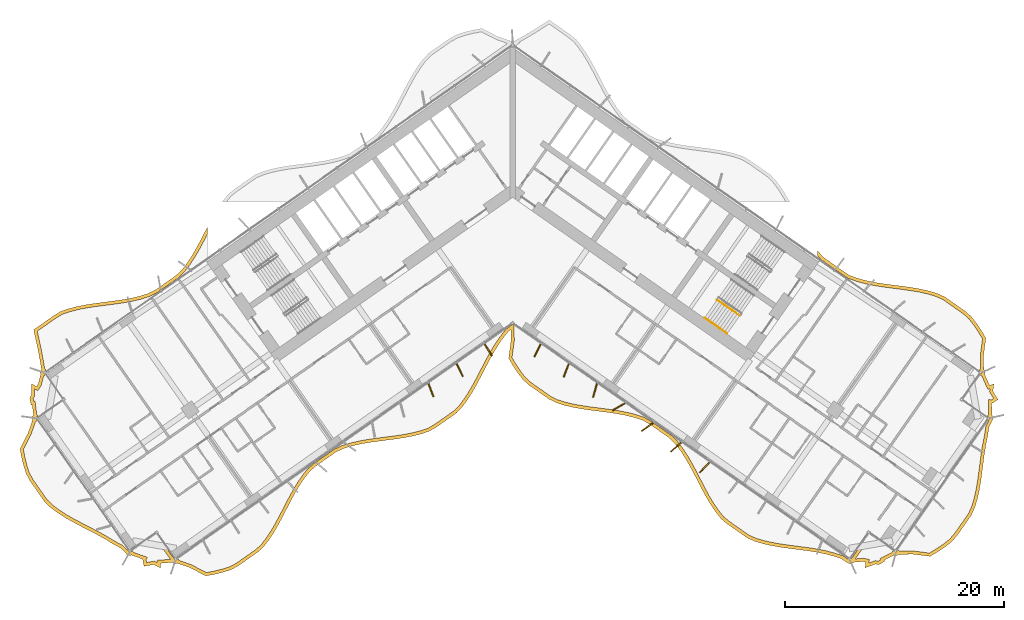
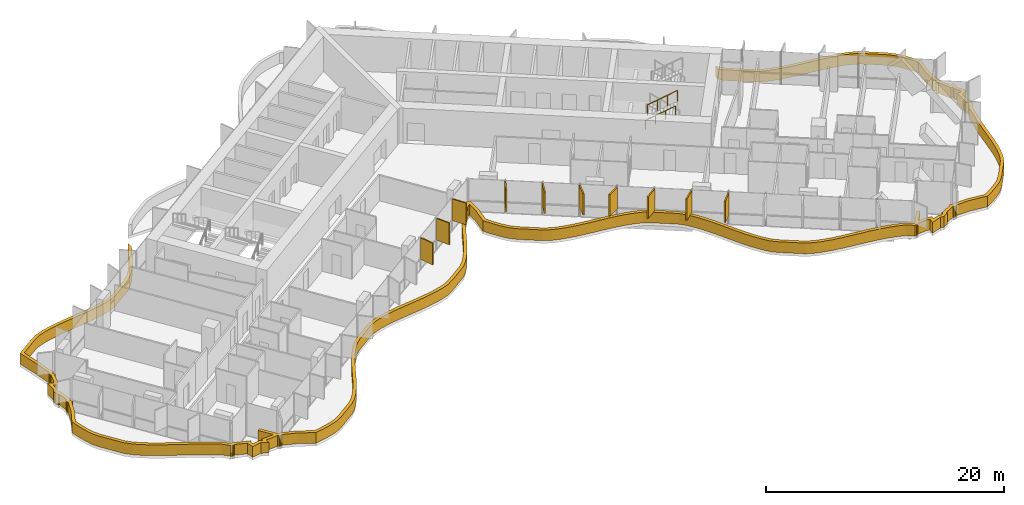
# One storey, part 21 of 24: 11 shading devices, 2 railings.
"""IFC4 building model written with IfcOpenShell, lengths in metres."""

from ifc_helpers import new_model, si_unit, direction, frame, origin, origin_2d, place, context, subcontext, project, spatial, polyline, rectangle, circle, outline, extrude, material, layer, layer_set, type_object, element, save


model = new_model("IFC4")

# Units and contexts
model_context = context("Model", 3, precision=1e-05, world=origin(), true_north=direction((0.0, 1.0)))
body_context = subcontext(model_context, "Body", "Model", "MODEL_VIEW")
ifc_project = project(units=[si_unit("LENGTHUNIT", "METRE"), si_unit("AREAUNIT", "SQUARE_METRE"), si_unit("VOLUMEUNIT", "CUBIC_METRE"), si_unit("PLANEANGLEUNIT", "RADIAN"), si_unit("MASSUNIT", "GRAM", prefix="KILO")], contexts=[model_context])

# Site, building, storey
site_placement = place(None, origin())
site = spatial("IfcSite", under=ifc_project, at=site_placement, CompositionType="ELEMENT")
building_placement = place(site_placement, origin())
building = spatial("IfcBuilding", under=site, at=building_placement, Name="Tel Ilan Convention Tower", CompositionType="ELEMENT")
storey_placement = place(building_placement, frame((0.0, 0.0, 72.5)))
storey = spatial("IfcBuildingStorey", under=building, at=storey_placement, Name="L13", CompositionType="ELEMENT", Elevation=72.5)

# Shading devices
ifc_material_1 = material(Name="Aluminium, bronze anodised", Category="aluminium")
ifc_layer_1 = layer(ifc_material_1, 0.1201171875)
ifc_layer_set_1 = layer_set([ifc_layer_1], Name="FIN BRONZE 1300x120")
shading_device_type_1 = type_object("IfcShadingDeviceType", Name="FIN BRONZE 1300x120", PredefinedType="USERDEFINED", material=ifc_layer_set_1)
for number, where, z_axis, x_axis, name in (
    (1, (-7.4677734375, -18.83447265625, 1.10009765625), (0.0, 0.0, 1.0), (0.360177724803, -0.932883704733, 0.0), "FIN"),
    (2, (-4.843505859375, -17.004638671875, 1.10009765625), (0.0, 0.0, 1.0), (0.448799180206, -0.893632640321, 0.0), "FIN"),
    (3, (-2.221923828125, -15.16943359375, 1.10009765625), (0.0, 0.0, 1.0), (0.533204432798, -0.845986425922, 0.0), "FIN"),
    (4, (2.2734375, -15.205078125, 1.10009765625), (0.0, 0.0, 1.0), (-0.448799180206, -0.893632640321, 0.0), "FIN"),
    (5, (4.897705078125, -17.034912109375, 1.10009765625), (0.0, 0.0, 1.0), (-0.360177724803, -0.932883704733, 0.0), "FIN"),
    (6, (7.5244140625, -18.858642578125, 1.10009765625), (0.0, 0.0, 1.0), (-0.268172612768, -0.963370878614, 0.0), "FIN"),
    (7, (9.70263671875, -20.361572265625, 1.10009765625), (0.0, 0.0, 1.0), (-0.866025403784, -0.5, 0.0), "FIN"),
    (8, (12.309814453125, -22.20947265625, 1.10009765625), (0.0, 0.0, 1.0), (-0.813552070258, -0.581492071294, 0.0), "FIN"),
    (9, (14.921875, -24.053955078125, 1.10009765625), (0.0, 0.0, 1.0), (-0.753435896329, -0.657521368568, 0.0), "FIN"),
    (10, (17.538818359375, -25.89404296875, 1.10009765625), (0.0, 0.0, 1.0), (-0.686241637865, -0.727373641577, 0.0), "FIN"),
):
    element("IfcShadingDevice", number, at=place(storey_placement, frame(where, z_axis=z_axis, x_axis=x_axis)), inside=storey, type_object=shading_device_type_1, Name=name, ObjectType="FIN", PredefinedType="USERDEFINED", context=body_context, shape_type="SweptSolid", body=[
        extrude(rectangle(XDim=1.300048828125, YDim=0.1201171875, at=origin_2d()), origin(), (0.0, 0.0, 1.0), 2.219970703125),
    ])
ifc_material_2 = material(Name="Aluminium, bronze anodised", Category="aluminium")
ifc_layer_2 = layer(ifc_material_2, 0.300048828125)
ifc_layer_set_2 = layer_set([ifc_layer_2], Name="LOUVRE BAND 300x1100")
shading_device_type_2 = type_object("IfcShadingDeviceType", Name="LOUVRE BAND 300x1100", PredefinedType="USERDEFINED", material=ifc_layer_set_2)
shading_device_placement = place(storey_placement, origin())
element("IfcShadingDevice", 11, at=shading_device_placement, inside=storey, type_object=shading_device_type_2, Name="LOUVRE BAND 13.01", ObjectType="LOUVRE", PredefinedType="USERDEFINED", context=body_context, shape_type="SweptSolid", body=[
    extrude(outline(polyline([(-44.2939453125, -22.77490234375), (-45.028564453125, -24.204833984375), (-44.876953125, -25.01416015625), (-44.68408203125, -25.794677734375), (-44.4384765625, -26.538330078125), (-44.07080078125, -27.196533203125), (-42.7802734375, -29.03955078125), (-42.232421875, -29.571533203125), (-41.598876953125, -30.04345703125), (-40.91650390625, -30.481201171875), (-40.196533203125, -30.892822265625), (-39.45263671875, -31.287353515625), (-37.949462890625, -32.066162109375), (-37.219970703125, -32.470947265625), (-36.523681640625, -32.89892578125), (-35.783203125, -33.2958984375), (-35.26318359375, -33.847412109375), (-35.258544921875, -33.843994140625), (-35.2294921875, -33.887451171875), (-35.13232421875, -33.952392578125), (-35.017578125, -33.975341796875), (-34.902587890625, -33.952392578125), (-34.8486328125, -33.91650390625), (-33.810546875, -34.284912109375), (-33.821533203125, -34.302734375), (-33.688720703125, -34.9423828125), (-32.80029296875, -34.774658203125), (-32.20068359375, -35.082763671875), (-32.199462890625, -34.66796875), (-31.080322265625, -34.580810546875), (-31.051513671875, -34.624267578125), (-30.9541015625, -34.689208984375), (-30.83935546875, -34.7119140625), (-30.724365234375, -34.689208984375), (-30.67041015625, -34.653076171875), (-29.47802734375, -35.069091796875), (-28.049560546875, -35.822265625), (-27.250732421875, -35.676025390625), (-26.48095703125, -35.488525390625), (-25.74609375, -35.2509765625), (-25.0888671875, -34.90234375), (-23.27490234375, -33.63232421875), (-22.733642578125, -33.117919921875), (-22.262939453125, -32.50341796875), (-21.826416015625, -31.839599609375), (-21.4169921875, -31.13720703125), (-21.026123046875, -30.408935546875), (-20.2607421875, -28.927978515625), (-19.86669921875, -28.20361328125), (-19.45263671875, -27.5078125), (-19.010009765625, -26.85302734375), (-18.53173828125, -26.249267578125), (-17.96875, -25.76611328125), (-16.154541015625, -24.495849609375), (-15.474853515625, -24.1796875), (-14.732666015625, -23.952880859375), (-13.95654296875, -23.774169921875), (-13.154296875, -23.6328125), (-12.334716796875, -23.516357421875), (-10.681640625, -23.30322265625), (-9.86767578125, -23.178466796875), (-9.074951171875, -23.023681640625), (-8.3115234375, -22.8271484375), (-7.584228515625, -22.57861328125), (-6.9482421875, -22.2001953125), (-5.134033203125, -20.929931640625), (-4.616455078125, -20.38232421875), (-4.15283203125, -19.75732421875), (-3.722412109375, -19.0849609375), (-3.3173828125, -18.37646484375), (-2.9287109375, -17.644287109375), (-2.16259765625, -16.16455078125), (-1.765380859375, -15.44482421875), (-1.346435546875, -14.75634765625), (-0.897216796875, -14.110595703125), (-0.422119140625, -13.502197265625), (-0.16796875, -13.31494140625), (-0.15185546875, -14.322021484375), (-0.37109375, -15.922119140625), (0.03955078125, -16.62255859375), (0.47900390625, -17.281982421875), (0.95361328125, -17.89111328125), (1.505859375, -18.389404296875), (3.320068359375, -19.65966796875), (3.98828125, -19.9921875), (4.726806640625, -20.224609375), (5.499755859375, -20.407470703125), (6.2998046875, -20.552001953125), (7.1181640625, -20.67041015625), (8.771484375, -20.883056640625), (9.5869140625, -21.005615234375), (10.38232421875, -21.15673828125), (11.14892578125, -21.3486328125), (11.880126953125, -21.591796875), (12.5263671875, -21.95556640625), (14.340576171875, -23.225830078125), (14.8701171875, -23.75634765625), (15.337158203125, -24.376220703125), (15.770751953125, -25.044189453125), (16.177734375, -25.749755859375), (16.567626953125, -26.480224609375), (17.333251953125, -27.960693359375), (17.728759765625, -28.682861328125), (18.145263671875, -29.375), (18.59130859375, -30.025146484375), (19.073486328125, -30.62353515625), (19.646728515625, -31.091796875), (21.460693359375, -32.362060546875), (22.15234375, -32.6611328125), (22.898193359375, -32.883056640625), (23.67724609375, -33.057373046875), (24.481689453125, -33.19580078125), (25.302490234375, -33.310546875), (26.955078125, -33.5244140625), (27.767333984375, -33.6513671875), (28.5576171875, -33.809814453125), (29.31787109375, -34.010986328125), (30.052001953125, -34.24951171875), (30.667236328125, -34.65771484375), (30.67041015625, -34.653076171875), (30.724365234375, -34.689208984375), (30.83935546875, -34.7119140625), (30.9541015625, -34.689208984375), (31.051513671875, -34.624267578125), (31.080322265625, -34.580810546875), (32.01025390625, -34.49951171875), (32.267822265625, -34.55126953125), (32.20068359375, -35.082763671875), (33.17138671875, -34.73291015625), (33.477294921875, -34.794189453125), (34.032958984375, -34.450927734375), (33.979248046875, -34.3603515625), (34.8486328125, -33.91650390625), (34.902587890625, -33.952392578125), (35.017578125, -33.975341796875), (35.13232421875, -33.952392578125), (35.2294921875, -33.887451171875), (35.258544921875, -33.843994140625), (36.55078125, -33.833251953125), (38.145751953125, -34.034423828125), (38.8544921875, -33.615234375), (39.521728515625, -33.1669921875), (40.13671875, -32.681884765625), (40.62939453125, -32.111328125), (41.919921875, -30.268310546875), (42.232421875, -29.571533203125), (42.45947265625, -28.814697265625), (42.63720703125, -28.023681640625), (42.77783203125, -27.20654296875), (42.89404296875, -26.372314453125), (43.11181640625, -24.693603515625), (43.24267578125, -23.86962890625), (43.40673828125, -23.069091796875), (43.5263671875, -22.2373046875), (43.866943359375, -21.56005859375), (43.8623046875, -21.556884765625), (43.898193359375, -21.5029296875), (43.921142578125, -21.387939453125), (43.898193359375, -21.273193359375), (43.833251953125, -21.17578125), (43.7900390625, -21.14697265625), (43.78125, -20.04541015625), (43.8017578125, -20.049560546875), (44.357177734375, -19.7060546875), (43.89599609375, -18.9287109375), (43.98046875, -18.259765625), (43.590087890625, -18.400634765625), (43.12548828125, -17.378662109375), (43.16162109375, -17.32470703125), (43.184326171875, -17.2099609375), (43.16162109375, -17.094970703125), (43.096435546875, -16.997802734375), (43.05322265625, -16.96875), (43.041259765625, -15.681884765625), (43.245849609375, -14.085693359375), (42.828125, -13.378662109375), (42.38134765625, -12.712646484375), (41.898193359375, -12.098876953125), (41.330810546875, -11.605224609375), (39.492919921875, -10.318359375), (38.80126953125, -10.001953125), (38.0478515625, -9.774169921875), (37.260009765625, -9.595458984375), (36.44580078125, -9.4541015625), (35.614501953125, -9.337646484375), (33.940185546875, -9.120849609375), (33.117919921875, -8.99169921875), (32.318115234375, -8.830078125), (31.54931640625, -8.623779296875), (30.819091796875, -8.36279296875), (30.191162109375, -7.955810546875), (28.35693359375, -6.66357421875), (27.874755859375, -6.095458984375), (27.874755859375, -6.55908203125), (28.15234375, -6.88623046875), (30.0234375, -8.20458984375), (30.68505859375, -8.633544921875), (31.4599609375, -8.910400390625), (32.249267578125, -9.1220703125), (33.064697265625, -9.286865234375), (33.897216796875, -9.417724609375), (35.574951171875, -9.635009765625), (36.3994140625, -9.750732421875), (37.201171875, -9.8896484375), (37.97119140625, -10.064453125), (38.695068359375, -10.283447265625), (39.34326171875, -10.57958984375), (41.145751953125, -11.841796875), (41.679931640625, -12.306640625), (42.138427734375, -12.889404296875), (42.57421875, -13.53857421875), (42.935302734375, -14.149658203125), (42.740966796875, -15.66455078125), (42.75537109375, -16.87109375), (42.638671875, -17.037841796875), (42.88427734375, -17.2099609375), (42.712890625, -17.4560546875), (42.890625, -17.580322265625), (43.430908203125, -18.77685546875), (43.621337890625, -18.7080078125), (43.58544921875, -18.9931640625), (43.948974609375, -19.605712890625), (43.74462890625, -19.732177734375), (43.477294921875, -19.678466796875), (43.4921875, -21.049072265625), (43.37548828125, -21.216064453125), (43.62109375, -21.387939453125), (43.44970703125, -21.63427734375), (43.482421875, -21.656982421875), (43.236328125, -22.146240234375), (43.111083984375, -23.017578125), (42.947265625, -23.816162109375), (42.81494140625, -24.650390625), (42.5966796875, -26.332763671875), (42.481201171875, -27.160400390625), (42.343017578125, -27.96533203125), (42.1689453125, -28.73876953125), (41.95068359375, -29.466552734375), (41.657958984375, -30.11962890625), (40.392333984375, -31.9267578125), (39.928466796875, -32.464111328125), (39.344970703125, -32.92431640625), (38.6943359375, -33.361328125), (38.081298828125, -33.72412109375), (36.56787109375, -33.533203125), (35.3564453125, -33.54638671875), (35.189453125, -33.429443359375), (35.017578125, -33.67529296875), (34.771240234375, -33.50390625), (34.642822265625, -33.6875), (33.5576171875, -34.23779296875), (33.62451171875, -34.3505859375), (33.42041015625, -34.476806640625), (33.1484375, -34.422119140625), (32.559814453125, -34.634521484375), (32.600341796875, -34.31201171875), (32.026611328125, -34.19677734375), (31.310302734375, -34.26220703125), (32.117919921875, -33.109130859375), (31.8720703125, -32.93701171875), (30.83935546875, -34.412109375), (30.593505859375, -34.239990234375), (30.58935546875, -34.24609375), (30.183837890625, -33.976806640625), (29.402587890625, -33.722900390625), (28.62548828125, -33.517333984375), (27.81982421875, -33.35595703125), (26.997802734375, -33.227294921875), (25.342041015625, -33.01318359375), (24.52783203125, -32.8994140625), (23.735595703125, -32.76318359375), (22.973876953125, -32.592529296875), (22.255126953125, -32.378662109375), (21.60791015625, -32.0986328125), (19.827880859375, -30.852294921875), (19.287353515625, -30.410888671875), (18.83203125, -29.845947265625), (18.397705078125, -29.212646484375), (17.989013671875, -28.533203125), (17.597900390625, -27.8193359375), (16.833251953125, -26.3408203125), (16.440185546875, -25.604248046875), (16.026611328125, -24.8876953125), (15.583251953125, -24.2041015625), (15.09716796875, -23.55908203125), (14.5341796875, -22.9951171875), (12.6865234375, -21.701171875), (12.001953125, -21.316162109375), (11.23291015625, -21.060546875), (10.44677734375, -20.863525390625), (9.63720703125, -20.709716796875), (8.81298828125, -20.5859375), (7.15869140625, -20.373046875), (6.347900390625, -20.255859375), (5.56103515625, -20.11376953125), (4.806396484375, -19.93505859375), (4.100830078125, -19.713134765625), (3.4736328125, -19.401123046875), (1.693115234375, -18.154296875), (1.17431640625, -17.68603515625), (0.72265625, -17.106201171875), (0.294189453125, -16.46337890625), (-0.059814453125, -15.85986328125), (0.1484375, -14.340087890625), (0.12548828125, -12.906005859375), (0.0, -12.818115234375), (-0.63330078125, -13.285400390625), (-1.138916015625, -13.9326171875), (-1.597900390625, -14.592529296875), (-2.025146484375, -15.294189453125), (-2.427001953125, -16.022705078125), (-3.19482421875, -17.50537109375), (-3.580078125, -18.231689453125), (-3.979248046875, -18.929443359375), (-4.39990234375, -19.5869140625), (-4.8466796875, -20.189208984375), (-5.3310546875, -20.70166015625), (-7.111083984375, -21.947998046875), (-7.7109375, -22.304931640625), (-8.3974609375, -22.53955078125), (-9.14111328125, -22.73095703125), (-9.919189453125, -22.8828125), (-10.723876953125, -23.006103515625), (-12.374755859375, -23.218994140625), (-13.201416015625, -23.33642578125), (-14.016357421875, -23.47998046875), (-14.810302734375, -23.662841796875), (-15.58251953125, -23.89892578125), (-16.30517578125, -24.235107421875), (-18.15283203125, -25.52880859375), (-18.748779296875, -26.040283203125), (-19.252197265625, -26.675537109375), (-19.7060546875, -27.346923828125), (-20.12744140625, -28.05517578125), (-20.525634765625, -28.787109375), (-21.29150390625, -30.26904296875), (-21.678955078125, -30.99072265625), (-22.08154296875, -31.681640625), (-22.507568359375, -32.32958984375), (-22.95751953125, -32.916748046875), (-23.46533203125, -33.3994140625), (-25.245849609375, -34.64599609375), (-25.86328125, -34.9736328125), (-26.5625, -35.19970703125), (-27.313232421875, -35.38232421875), (-28.00146484375, -35.508544921875), (-29.3583984375, -34.79296875), (-30.477294921875, -34.406005859375), (-30.593505859375, -34.239990234375), (-30.83935546875, -34.412109375), (-31.8720703125, -32.93701171875), (-32.117919921875, -33.109130859375), (-31.28515625, -34.29833984375), (-32.498779296875, -34.3896484375), (-32.499267578125, -34.59228515625), (-32.7548828125, -34.4609375), (-33.454833984375, -34.593017578125), (-33.503662109375, -34.35791015625), (-33.361572265625, -34.124755859375), (-34.655029296875, -33.669921875), (-34.771240234375, -33.50390625), (-35.017578125, -33.67529296875), (-35.189453125, -33.429443359375), (-35.222900390625, -33.452880859375), (-35.598388671875, -33.054443359375), (-36.374267578125, -32.638671875), (-37.068603515625, -32.211669921875), (-37.807373046875, -31.802001953125), (-39.313720703125, -31.021240234375), (-40.052001953125, -30.6298828125), (-40.760986328125, -30.224609375), (-41.42822265625, -29.796630859375), (-42.03759765625, -29.342529296875), (-42.551025390625, -28.84423828125), (-43.81640625, -27.036865234375), (-44.16259765625, -26.4169921875), (-44.3955078125, -25.71142578125), (-44.583740234375, -24.950439453125), (-44.71484375, -24.25048828125), (-44.017822265625, -22.8935546875), (-43.61572265625, -21.75048828125), (-43.44970703125, -21.63427734375), (-43.62109375, -21.387939453125), (-43.37548828125, -21.216064453125), (-43.50439453125, -21.03173828125), (-43.650390625, -19.823974609375), (-43.779296875, -19.84814453125), (-43.828125, -19.613037109375), (-43.683837890625, -19.376220703125), (-43.681884765625, -18.75048828125), (-43.392822265625, -18.89892578125), (-43.088134765625, -18.399169921875), (-42.8681640625, -17.564697265625), (-42.712890625, -17.4560546875), (-42.88427734375, -17.2099609375), (-42.638671875, -17.037841796875), (-42.772705078125, -16.846435546875), (-43.07080078125, -15.1611328125), (-43.445556640625, -13.4521484375), (-41.779296875, -12.285400390625), (-41.1748046875, -11.917724609375), (-40.481201171875, -11.678466796875), (-39.728515625, -11.483642578125), (-38.940185546875, -11.32958984375), (-38.125, -11.204833984375), (-36.4521484375, -10.9892578125), (-35.61474609375, -10.869140625), (-34.790283203125, -10.7216796875), (-33.988037109375, -10.532958984375), (-33.2060546875, -10.2880859375), (-32.48779296875, -9.93017578125), (-30.61474609375, -8.61865234375), (-30.02783203125, -8.073974609375), (-29.527587890625, -7.424560546875), (-29.074462890625, -6.73681640625), (-28.652587890625, -6.013916015625), (-28.2529296875, -5.268798828125), (-27.874755859375, -4.535400390625), (-27.874755859375, -3.883544921875), (-28.518310546875, -5.129150390625), (-28.91455078125, -5.8671875), (-29.329345703125, -6.57861328125), (-29.772216796875, -7.250244140625), (-30.250244140625, -7.87109375), (-30.8037109375, -8.384765625), (-32.6416015625, -9.671630859375), (-33.318603515625, -10.0087890625), (-34.067138671875, -10.243408203125), (-34.85107421875, -10.427734375), (-35.66259765625, -10.572998046875), (-36.4921875, -10.69189453125), (-38.167236328125, -10.90771484375), (-38.99169921875, -11.033935546875), (-39.794921875, -11.19091796875), (-40.56787109375, -11.390869140625), (-41.30322265625, -11.64453125), (-41.943359375, -12.0341796875), (-43.78125, -13.321044921875), (-43.364990234375, -15.219482421875), (-43.05322265625, -16.96875), (-43.096435546875, -16.997802734375), (-43.16162109375, -17.094970703125), (-43.184326171875, -17.2099609375), (-43.16162109375, -17.32470703125), (-43.12548828125, -17.378662109375), (-43.3671875, -18.2802734375), (-43.50390625, -18.504638671875), (-43.98046875, -18.259765625), (-43.9833984375, -19.291748046875), (-44.14599609375, -19.55810546875), (-44.01318359375, -20.197509765625), (-43.90966796875, -20.177978515625), (-43.7900390625, -21.14697265625), (-43.833251953125, -21.17578125), (-43.898193359375, -21.273193359375), (-43.921142578125, -21.387939453125), (-43.898193359375, -21.5029296875), (-43.8623046875, -21.556884765625), (-44.2939453125, -22.77490234375)])), origin(), (0.0, 0.0, 1.0), 1.10009765625),
])

# Railings
ifc_material_3 = material(Name="Stainless Steel Grade 316", Category="steel")
railing_type_1 = type_object("IfcRailingType", Name="Stainless Steel Stair Guard 1100 mm", PredefinedType="GUARDRAIL", material=ifc_material_3)
railing_1_placement = place(storey_placement, frame((18.689208984375, -10.583740234375, 1.97998046875)))
element("IfcRailing", 12, at=railing_1_placement, inside=storey, type_object=railing_type_1, Name="L13 S4 stair guard 3", PredefinedType="GUARDRAIL", context=body_context, shape_type="SweptSolid", body=[
    extrude(circle(Radius=0.02392578125, at=origin_2d()), frame((0.0, 0.0, 1.076171875), z_axis=(0.689055814419, -0.482485747064, 0.540749099395), x_axis=(0.573579365141, 0.81914999352, 0.0)), (0.0, 0.0, 1.0), 2.99609375),
    extrude(circle(Radius=0.02099609375, at=origin_2d()), origin(), (0.0, 0.0, 1.0), 1.052001953125),
    extrude(circle(Radius=0.02099609375, at=origin_2d()), frame((0.688232421875, -0.48193359375, 0.5400390625)), (0.0, 0.0, 1.0), 1.052001953125),
    extrude(circle(Radius=0.02099609375, at=origin_2d()), frame((1.376220703125, -0.963623046875, 1.080078125)), (0.0, 0.0, 1.0), 1.052001953125),
    extrude(circle(Radius=0.02099609375, at=origin_2d()), frame((2.064453125, -1.445556640625, 1.6201171875)), (0.0, 0.0, 1.0), 1.052001953125),
])
ifc_material_4 = material(Name="Stainless Steel Grade 316", Category="steel")
railing_type_2 = type_object("IfcRailingType", Name="Stainless Steel Stair Handrail 900 mm", PredefinedType="HANDRAIL", material=ifc_material_4)
railing_2_placement = place(storey_placement, frame((17.542236328125, -12.22216796875, 1.97998046875)))
element("IfcRailing", 13, at=railing_2_placement, inside=storey, type_object=railing_type_2, Name="L13 S4 stair handrail 2", PredefinedType="HANDRAIL", context=body_context, shape_type="SweptSolid", body=[
    extrude(circle(Radius=0.02392578125, at=origin_2d()), frame((0.0, 0.0, 0.8759765625), z_axis=(0.689040105437, -0.482450316285, 0.54080072616), x_axis=(0.573559875649, 0.819163639968, 0.0)), (0.0, 0.0, 1.0), 2.995849609375),
    extrude(circle(Radius=0.02099609375, at=origin_2d()), origin(), (0.0, 0.0, 1.0), 0.851806640625),
    extrude(circle(Radius=0.02099609375, at=origin_2d()), frame((0.68798828125, -0.481689453125, 0.5400390625)), (0.0, 0.0, 1.0), 0.851806640625),
    extrude(circle(Radius=0.02099609375, at=origin_2d()), frame((1.376220703125, -0.963623046875, 1.080078125)), (0.0, 0.0, 1.0), 0.851806640625),
    extrude(circle(Radius=0.02099609375, at=origin_2d()), frame((2.064208984375, -1.4453125, 1.6201171875)), (0.0, 0.0, 1.0), 0.851806640625),
])

save(model, "model.ifc")
